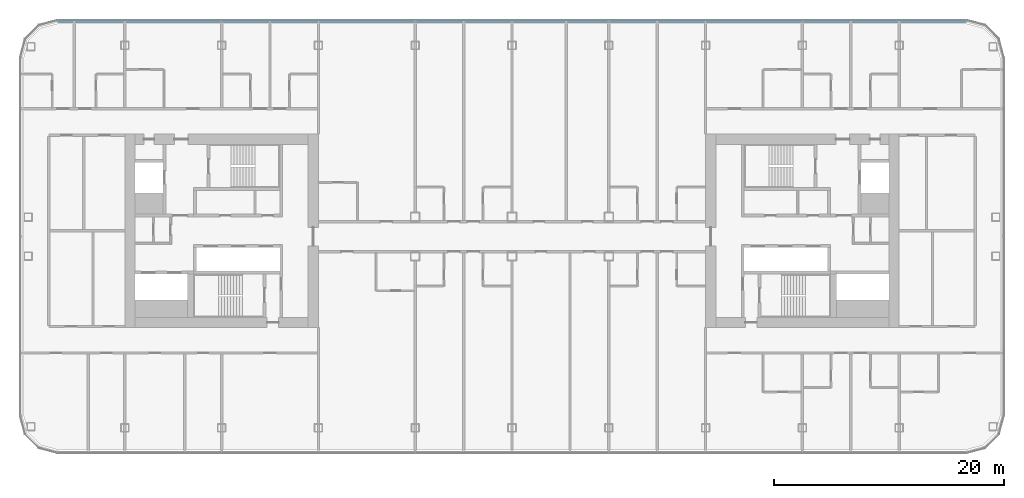
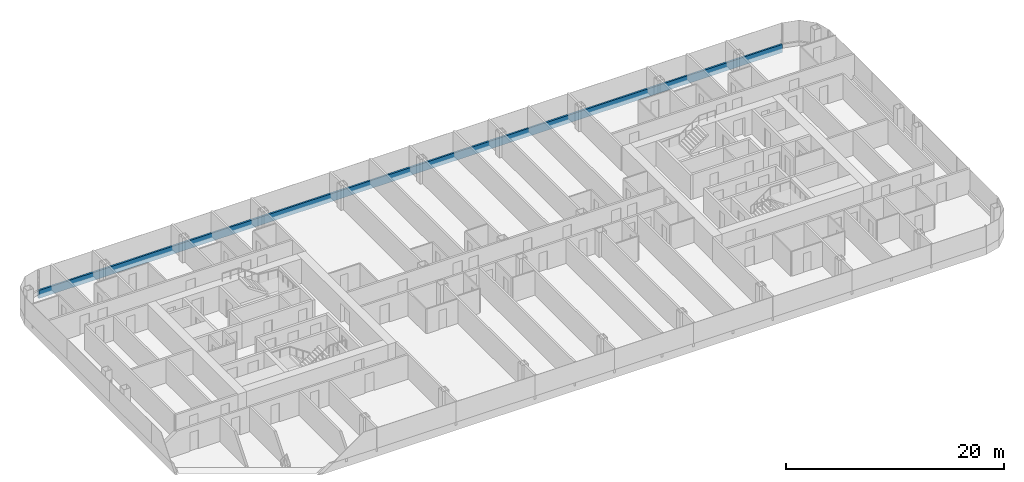
# One storey, part 7 of 26: 1 member, 1 element without a shape of its own.
"""IFC4 building model written with IfcOpenShell, lengths in metres."""

from ifc_helpers import new_model, si_unit, direction, frame, origin, origin_2d, place, context, subcontext, project, spatial, rectangle, extrude, material, layer, layer_set, material_profile, profile_set, type_object, element, aggregate, save


model = new_model("IFC4")

# Units and contexts
model_context = context("Model", 3, precision=1e-05, world=origin(), true_north=direction((0.0, 1.0)))
body_context = subcontext(model_context, "Body", "Model", "MODEL_VIEW")
ifc_project = project(units=[si_unit("LENGTHUNIT", "METRE"), si_unit("AREAUNIT", "SQUARE_METRE"), si_unit("VOLUMEUNIT", "CUBIC_METRE"), si_unit("PLANEANGLEUNIT", "RADIAN"), si_unit("MASSUNIT", "GRAM", prefix="KILO")], contexts=[model_context])

# Site, building, storey
site_placement = place(None, origin())
site = spatial("IfcSite", under=ifc_project, at=site_placement, CompositionType="ELEMENT")
building_placement = place(site_placement, origin())
building = spatial("IfcBuilding", under=site, at=building_placement, Name="Hakoniwa Tower and Hamabe Station Hall", CompositionType="ELEMENT")
storey_placement = place(building_placement, frame((0.0, 0.0, 153.39990234375)))
storey = spatial("IfcBuildingStorey", under=building, at=storey_placement, Name="L43", CompositionType="ELEMENT", Elevation=153.39990234375)

# Curtain wall, member
ifc_material_1 = material(Name="Dark low-e laminated glass", Category="glass")
ifc_layer = layer(ifc_material_1, 0.199951171875)
ifc_layer_set = layer_set([ifc_layer], Name="CW-1 UNITISED GUEST")
curtain_wall_type = type_object("IfcCurtainWallType", Name="CW-1 UNITISED GUEST", PredefinedType="NOTDEFINED", material=ifc_layer_set)
curtain_wall_placement = place(storey_placement, origin())
curtain_wall = element("IfcCurtainWall", 1, at=curtain_wall_placement, inside=storey, type_object=curtain_wall_type, Name="CW-1 curtain wall", PredefinedType="NOTDEFINED")
ifc_material_2 = material(Name="Aluminium 6063-T5 black anodised", Category="aluminium")
ifc_material_profile = material_profile(ifc_material_2, rectangle(XDim=0.199951171875, YDim=0.89990234375, at=origin_2d()), Name="CW SLAB-EDGE BAND 900X200")
ifc_profile_set = profile_set([ifc_material_profile], Name="Aluminium 6063-T5 black anodised")
member_type = type_object("IfcMemberType", Name="CW SLAB-EDGE BAND 900X200", PredefinedType="USERDEFINED", material=ifc_profile_set)
member_placement = place(storey_placement, frame((39.439453125, 18.199951171875, -0.099853515625), z_axis=(-1.0, 0.0, 0.0), x_axis=(0.0, -1.0, 0.0)))
member = element("IfcMember", 2, at=member_placement, type_object=member_type, Name="CW-1 transom", ObjectType="TRANSOM", PredefinedType="USERDEFINED", context=body_context, shape_type="SweptSolid", body=[
    extrude(rectangle(XDim=0.199951171875, YDim=0.89990234375, at=origin_2d()), origin(), (0.0, 0.0, 1.0), 78.87890625),
])
aggregate(curtain_wall, [member])

save(model, "model.ifc")
